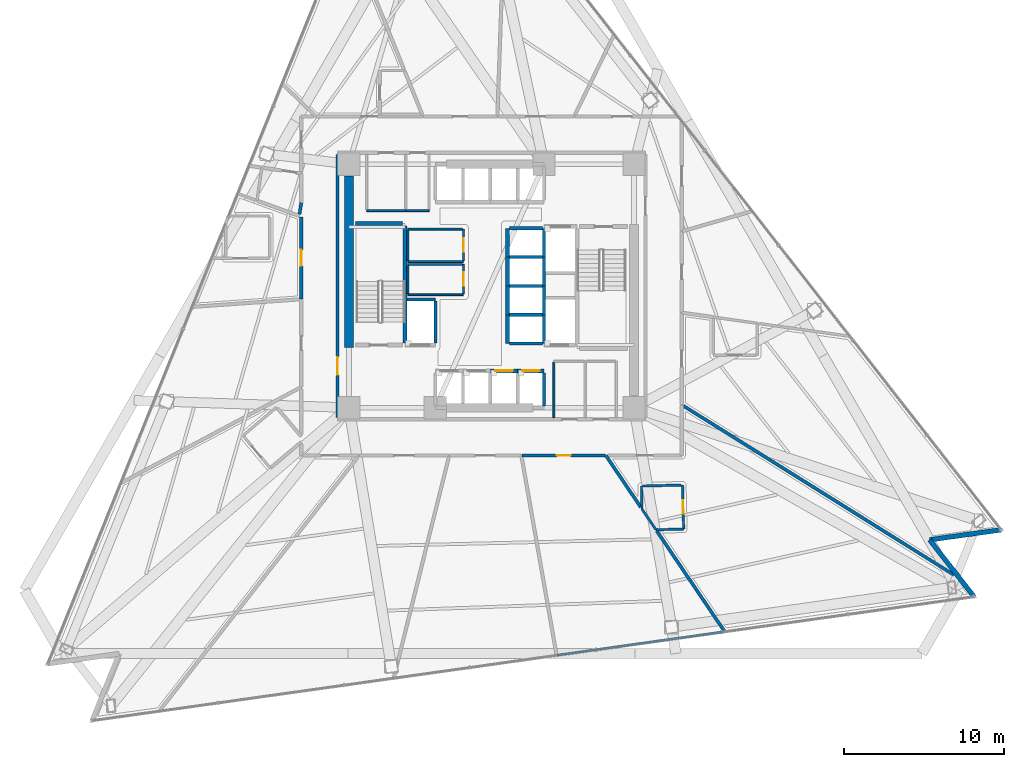
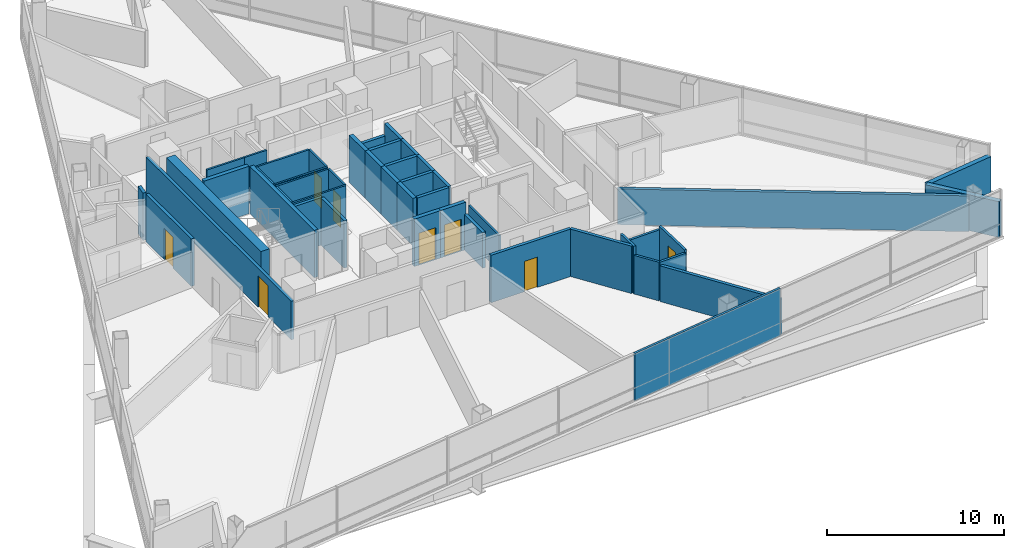
# One storey, part 8 of 15: 47 walls, 8 doors, 8 openings.
"""IFC4 building model written with IfcOpenShell, lengths in metres."""

from ifc_helpers import new_model, si_unit, direction, frame, frame_2d, origin, place, context, subcontext, project, spatial, rectangle, extrude, material, layer, layer_set, type_object, element, fill, save


model = new_model("IFC4")

# Units and contexts
model_context = context("Model", 3, precision=1e-05, world=origin(), true_north=direction((0.0, 1.0)))
body_context = subcontext(model_context, "Body", "Model", "MODEL_VIEW")
ifc_project = project(units=[si_unit("LENGTHUNIT", "METRE"), si_unit("AREAUNIT", "SQUARE_METRE"), si_unit("VOLUMEUNIT", "CUBIC_METRE"), si_unit("PLANEANGLEUNIT", "RADIAN"), si_unit("MASSUNIT", "GRAM", prefix="KILO")], contexts=[model_context])

# Site, building, storey
site_placement = place(None, origin())
site = spatial("IfcSite", under=ifc_project, at=site_placement, CompositionType="ELEMENT")
building_placement = place(site_placement, origin())
building = spatial("IfcBuilding", under=site, at=building_placement, Name="Tharavind Bronze Gate", CompositionType="ELEMENT")
storey_placement = place(building_placement, frame((0.0, 0.0, 57.0)))
storey = spatial("IfcBuildingStorey", under=building, at=storey_placement, Name="L13", CompositionType="ELEMENT", Elevation=57.0)

# Walls
ifc_material_1 = material(Name="Concrete C40/50", Category="concrete")
ifc_layer_1 = layer(ifc_material_1, 0.300048828125)
ifc_layer_set_1 = layer_set([ifc_layer_1], Name="Concrete C40/50")
wall_type_1 = type_object("IfcWallType", Name="EXTERIOR SPANDREL WALL 300", PredefinedType="STANDARD", material=ifc_layer_set_1)
wall_1_placement = place(storey_placement, frame((30.127685546875, -19.399169921875, 0.0), z_axis=(0.0, 0.0, 1.0), x_axis=(-0.615621932091, 0.78804164657, 0.0)))
element("IfcWall", 1, at=wall_1_placement, inside=storey, type_object=wall_type_1, Name="L13 notch cheek wall 3A", PredefinedType="STANDARD", context=body_context, shape_type="SweptSolid", body=[
    extrude(rectangle(XDim=4.5, YDim=0.300048828125, at=frame_2d((2.25, 0.0))), origin(), (0.0, 0.0, 1.0), 2.469970703125),
])
wall_2_placement = place(storey_placement, frame((27.357421875, -15.85302734375, 0.0), z_axis=(0.0, 0.0, 1.0), x_axis=(0.990269200152, 0.139165050317, 0.0)))
element("IfcWall", 2, at=wall_2_placement, inside=storey, type_object=wall_type_1, Name="L13 notch cheek wall 3B", PredefinedType="STANDARD", context=body_context, shape_type="SweptSolid", body=[
    extrude(rectangle(XDim=4.499755859375, YDim=0.300048828125, at=frame_2d((2.25, 0.0))), origin(), (0.0, 0.0, 1.0), 2.469970703125),
])

# Wall, opening, door
ifc_material_2 = material(Name="Aerated Concrete Block", Category="concrete")
ifc_layer_2 = layer(ifc_material_2, 0.199951171875)
ifc_layer_set_2 = layer_set([ifc_layer_2], Name="Aerated Concrete Block")
wall_type_2 = type_object("IfcWallType", Name="FIRE RATED PARTITION 200", PredefinedType="PARTITIONING", material=ifc_layer_set_2)
wall_3_placement = place(storey_placement, frame((-9.6201171875, 8.199951171875, 0.0), z_axis=(0.0, 0.0, 1.0), x_axis=(0.0, -1.0, 0.0)))
wall_3 = element("IfcWall", 3, at=wall_3_placement, inside=storey, type_object=wall_type_2, Name="L13 west core corridor wall", PredefinedType="PARTITIONING", context=body_context, shape_type="SweptSolid", body=[
    extrude(rectangle(XDim=16.39990234375, YDim=0.199951171875, at=frame_2d((8.199951171875, 0.0))), origin(), (0.0, 0.0, 1.0), 2.669921875),
])
opening_1_placement = place(wall_3_placement, frame((12.64990234375, 0.0, 0.0)))
opening_1 = element("IfcOpeningElement", 4, at=opening_1_placement, cuts=wall_3, Name="Opening ID01", PredefinedType="OPENING", context=body_context, shape_type="SweptSolid", body=[
    extrude(rectangle(XDim=1.10009765625, YDim=2.14990234375, at=frame_2d((0.550048828125, 1.074951171875))), frame((0.0, 0.11009765625, 0.0), z_axis=(0.0, -1.0, 0.0), x_axis=(1.0, 0.0, 0.0)), (0.0, 0.0, 1.0), 0.219951171875),
])
ifc_material_3 = material(Name="Fire-Rated Steel", Category="steel")
door_type_1 = type_object("IfcDoorType", Name="STAIR CORE FIRE DOOR 1100X2150", OperationType="SINGLE_SWING_LEFT", PredefinedType="DOOR", material=ifc_material_3)
door_1_placement = place(opening_1_placement, frame((1.10009765625, 0.0, 0.0), z_axis=(0.0, 0.0, 1.0), x_axis=(-1.0, 0.0, 0.0)))
door_1 = element("IfcDoor", 5, at=door_1_placement, inside=storey, type_object=door_type_1, Name="L13 south west stair lobby fire door", OperationType="SINGLE_SWING_LEFT", OverallHeight=2.14990234375, OverallWidth=1.10009765625, PredefinedType="DOOR", context=body_context, shape_type="SweptSolid", body=[
    extrude(rectangle(XDim=1.10009765625, YDim=2.14990234375, at=frame_2d((0.550048828125, 1.074951171875))), frame((0.0, 0.02490234375, 0.0), z_axis=(0.0, -1.0, 0.0), x_axis=(1.0, 0.0, 0.0)), (0.0, 0.0, 1.0), 0.050048828125),
])
fill(opening_1, door_1)

# Wall
wall_4_placement = place(storey_placement, frame((-11.8798828125, 5.19384765625, 0.0), z_axis=(0.0, 0.0, 1.0), x_axis=(-0.143909981619, -0.989590782693, 0.0)))
element("IfcWall", 6, at=wall_4_placement, inside=storey, type_object=wall_type_2, Name="L13 En-Suite Bathroom partition", PredefinedType="PARTITIONING", context=body_context, shape_type="SweptSolid", body=[
    extrude(rectangle(XDim=0.727783203125, YDim=0.199951171875, at=frame_2d((0.36376953125, 0.0))), origin(), (0.0, 0.0, 1.0), 3.27490234375),
])

# Wall, opening, door
wall_5_placement = place(storey_placement, frame((1.895263671875, -10.580078125, 0.0), z_axis=(0.0, 0.0, 1.0), x_axis=(1.0, 0.0, 0.0)))
wall_5 = element("IfcWall", 7, at=wall_5_placement, inside=storey, type_object=wall_type_2, Name="L13 Public Restrooms Block partition", PredefinedType="PARTITIONING", context=body_context, shape_type="SweptSolid", body=[
    extrude(rectangle(XDim=5.227783203125, YDim=0.199951171875, at=frame_2d((2.61376953125, 0.0))), origin(), (0.0, 0.0, 1.0), 3.27490234375),
])
opening_2_placement = place(wall_5_placement, frame((2.18896484375, 0.0, 0.0)))
opening_2 = element("IfcOpeningElement", 8, at=opening_2_placement, cuts=wall_5, Name="Opening ID06", PredefinedType="OPENING", context=body_context, shape_type="SweptSolid", body=[
    extrude(rectangle(XDim=0.85009765625, YDim=2.10009765625, at=frame_2d((0.425048828125, 1.050048828125))), frame((0.0, 0.11009765625, 0.0), z_axis=(0.0, -1.0, 0.0), x_axis=(1.0, 0.0, 0.0)), (0.0, 0.0, 1.0), 0.219951171875),
])
ifc_material_4 = material(Name="Moisture-Resistant Timber", Category="wood")
door_type_2 = type_object("IfcDoorType", Name="BATHROOM PRIVACY DOOR 850X2100", OperationType="SINGLE_SWING_RIGHT", PredefinedType="DOOR", material=ifc_material_4)
door_2_placement = place(opening_2_placement, origin())
door_2 = element("IfcDoor", 9, at=door_2_placement, inside=storey, type_object=door_type_2, Name="L13 Public Restrooms Block door", OperationType="SINGLE_SWING_RIGHT", OverallHeight=2.10009765625, OverallWidth=0.85009765625, PredefinedType="DOOR", context=body_context, shape_type="SweptSolid", body=[
    extrude(rectangle(XDim=0.85009765625, YDim=2.10009765625, at=frame_2d((0.425048828125, 1.050048828125))), frame((0.0, 0.02490234375, 0.0), z_axis=(0.0, -1.0, 0.0), x_axis=(1.0, 0.0, 0.0)), (0.0, 0.0, 1.0), 0.050048828125),
])
fill(opening_2, door_2)

# Walls
wall_6_placement = place(storey_placement, frame((7.143798828125, -10.591064453125, 0.0), z_axis=(0.0, 0.0, 1.0), x_axis=(0.559171794076, -0.829051810631, 0.0)))
element("IfcWall", 10, at=wall_6_placement, inside=storey, type_object=wall_type_2, Name="L13 Public Restrooms Block partition", PredefinedType="PARTITIONING", context=body_context, shape_type="SweptSolid", body=[
    extrude(rectangle(XDim=3.88623046875, YDim=0.199951171875, at=frame_2d((1.943115234375, 0.0))), origin(), (0.0, 0.0, 1.0), 3.27490234375),
])
wall_7_placement = place(storey_placement, frame((10.321044921875, -15.3017578125, 0.0), z_axis=(0.0, 0.0, 1.0), x_axis=(0.559202924042, -0.829030813506, 0.0)))
element("IfcWall", 11, at=wall_7_placement, inside=storey, type_object=wall_type_2, Name="L13 Public Restrooms Block partition", PredefinedType="PARTITIONING", context=body_context, shape_type="SweptSolid", body=[
    extrude(rectangle(XDim=7.581298828125, YDim=0.199951171875, at=frame_2d((3.79052734375, 0.0))), origin(), (0.0, 0.0, 1.0), 2.469970703125),
])

# Wall, opening, door
wall_8_placement = place(storey_placement, frame((-11.8798828125, 4.306396484375, 0.0), z_axis=(0.0, 0.0, 1.0), x_axis=(0.0, -1.0, 0.0)))
wall_8 = element("IfcWall", 12, at=wall_8_placement, inside=storey, type_object=wall_type_2, Name="L13 Hotel Guest Room partition", PredefinedType="PARTITIONING", context=body_context, shape_type="SweptSolid", body=[
    extrude(rectangle(XDim=5.11376953125, YDim=0.199951171875, at=frame_2d((2.556884765625, 0.0))), origin(), (0.0, 0.0, 1.0), 3.27490234375),
])
opening_3_placement = place(wall_8_placement, frame((2.056884765625, 0.0, 0.0)))
opening_3 = element("IfcOpeningElement", 13, at=opening_3_placement, cuts=wall_8, Name="Opening ID03", PredefinedType="OPENING", context=body_context, shape_type="SweptSolid", body=[
    extrude(rectangle(XDim=1.0, YDim=2.14990234375, at=frame_2d((0.5, 1.074951171875))), frame((0.0, 0.11009765625, 0.0), z_axis=(0.0, -1.0, 0.0), x_axis=(1.0, 0.0, 0.0)), (0.0, 0.0, 1.0), 0.219951171875),
])
ifc_material_5 = material(Name="Solid Timber Veneer", Category="wood")
door_type_3 = type_object("IfcDoorType", Name="HOTEL SUITE ENTRANCE DOOR 1000X2150", OperationType="SINGLE_SWING_LEFT", PredefinedType="DOOR", material=ifc_material_5)
door_3_placement = place(opening_3_placement, origin())
door_3 = element("IfcDoor", 14, at=door_3_placement, inside=storey, type_object=door_type_3, Name="L13 Hotel Guest Room door", OperationType="SINGLE_SWING_LEFT", OverallHeight=2.14990234375, OverallWidth=1.0, PredefinedType="DOOR", context=body_context, shape_type="SweptSolid", body=[
    extrude(rectangle(XDim=1.0, YDim=2.14990234375, at=frame_2d((0.5, 1.074951171875))), frame((0.0, 0.02490234375, 0.0), z_axis=(0.0, -1.0, 0.0), x_axis=(1.0, 0.0, 0.0)), (0.0, 0.0, 1.0), 0.050048828125),
])
fill(opening_3, door_3)

# Walls
wall_9_placement = place(storey_placement, frame((11.985107421875, -7.489013671875, 0.0), z_axis=(0.0, 0.0, 1.0), x_axis=(0.848049281921, -0.529917366608, 0.0)))
element("IfcWall", 15, at=wall_9_placement, inside=storey, type_object=wall_type_2, Name="L13 Deluxe Hotel Suite partition", PredefinedType="PARTITIONING", context=body_context, shape_type="SweptSolid", body=[
    extrude(rectangle(XDim=19.908447265625, YDim=0.199951171875, at=frame_2d((9.9541015625, 0.0))), origin(), (0.0, 0.0, 1.0), 2.469970703125),
])
ifc_material_6 = material(Name="Metal Stud Gypsum Partition", Category="gypsum")
ifc_layer_3 = layer(ifc_material_6, 0.1201171875)
ifc_layer_set_3 = layer_set([ifc_layer_3], Name="Metal Stud Gypsum Partition")
wall_type_3 = type_object("IfcWallType", Name="INTERIOR PARTITION WALL 120", PredefinedType="PARTITIONING", material=ifc_layer_set_3)
wall_10_placement = place(storey_placement, frame((-5.219970703125, 1.52001953125, 0.0), z_axis=(0.0, 0.0, 1.0), x_axis=(1.0, 0.0, 0.0)))
element("IfcWall", 16, at=wall_10_placement, inside=storey, type_object=wall_type_3, Name="L13 Cleaner Store Room partition 1", PredefinedType="PARTITIONING", context=body_context, shape_type="SweptSolid", body=[
    extrude(rectangle(XDim=3.469970703125, YDim=0.1201171875, at=frame_2d((1.73486328125, 0.0))), origin(), (0.0, 0.0, 1.0), 3.27490234375),
])

# Wall, opening, door
wall_11_placement = place(storey_placement, frame((-1.75, 1.5849609375, 0.0), z_axis=(0.0, 0.0, 1.0), x_axis=(0.0, 1.0, 0.0)))
wall_11 = element("IfcWall", 17, at=wall_11_placement, inside=storey, type_object=wall_type_3, Name="L13 Cleaner Store Room partition 2", PredefinedType="PARTITIONING", context=body_context, shape_type="SweptSolid", body=[
    extrude(rectangle(XDim=1.965087890625, YDim=0.1201171875, at=frame_2d((0.982421875, 0.0))), origin(), (0.0, 0.0, 1.0), 3.27490234375),
])
opening_4_placement = place(wall_11_placement, frame((0.556884765625, 0.0, 0.0)))
opening_4 = element("IfcOpeningElement", 18, at=opening_4_placement, cuts=wall_11, Name="Opening ID06", PredefinedType="OPENING", context=body_context, shape_type="SweptSolid", body=[
    extrude(rectangle(XDim=0.85009765625, YDim=2.10009765625, at=frame_2d((0.425048828125, 1.050048828125))), frame((0.0, 0.07005859375, 0.0), z_axis=(0.0, -1.0, 0.0), x_axis=(1.0, 0.0, 0.0)), (0.0, 0.0, 1.0), 0.1401171875),
])
door_4_placement = place(opening_4_placement, frame((0.85009765625, 0.0, 0.0), z_axis=(0.0, 0.0, 1.0), x_axis=(-1.0, 0.0, 0.0)))
door_4 = element("IfcDoor", 19, at=door_4_placement, inside=storey, type_object=door_type_2, Name="L13 Cleaner Store Room door", OperationType="SINGLE_SWING_RIGHT", OverallHeight=2.10009765625, OverallWidth=0.85009765625, PredefinedType="DOOR", context=body_context, shape_type="SweptSolid", body=[
    extrude(rectangle(XDim=0.85009765625, YDim=2.10009765625, at=frame_2d((0.425048828125, 1.050048828125))), frame((0.0, 0.02490234375, 0.0), z_axis=(0.0, -1.0, 0.0), x_axis=(1.0, 0.0, 0.0)), (0.0, 0.0, 1.0), 0.050048828125),
])
fill(opening_4, door_4)

# Walls
wall_12_placement = place(storey_placement, frame((-1.81494140625, 3.550048828125, 0.0), z_axis=(0.0, 0.0, 1.0), x_axis=(-1.0, 0.0, 0.0)))
element("IfcWall", 20, at=wall_12_placement, inside=storey, type_object=wall_type_3, Name="L13 Cleaner Store Room partition 3", PredefinedType="PARTITIONING", context=body_context, shape_type="SweptSolid", body=[
    extrude(rectangle(XDim=3.405029296875, YDim=0.1201171875, at=frame_2d((1.70263671875, 0.0))), origin(), (0.0, 0.0, 1.0), 3.27490234375),
])
wall_13_placement = place(storey_placement, frame((-5.219970703125, 3.485107421875, 0.0), z_axis=(0.0, 0.0, 1.0), x_axis=(0.0, -1.0, 0.0)))
element("IfcWall", 21, at=wall_13_placement, inside=storey, type_object=wall_type_3, Name="L13 Cleaner Store Room partition 4", PredefinedType="PARTITIONING", context=body_context, shape_type="SweptSolid", body=[
    extrude(rectangle(XDim=1.900146484375, YDim=0.1201171875, at=frame_2d((0.9501953125, 0.0))), origin(), (0.0, 0.0, 1.0), 3.27490234375),
])
wall_14_placement = place(storey_placement, frame((-5.219970703125, -0.550048828125, 0.0), z_axis=(0.0, 0.0, 1.0), x_axis=(1.0, 0.0, 0.0)))
element("IfcWall", 22, at=wall_14_placement, inside=storey, type_object=wall_type_3, Name="L13 Electrical Switch Room partition 1", PredefinedType="PARTITIONING", context=body_context, shape_type="SweptSolid", body=[
    extrude(rectangle(XDim=3.469970703125, YDim=0.1201171875, at=frame_2d((1.73486328125, 0.0))), origin(), (0.0, 0.0, 1.0), 3.27490234375),
])

# Wall, opening, door
wall_15_placement = place(storey_placement, frame((-1.75, -0.485107421875, 0.0), z_axis=(0.0, 0.0, 1.0), x_axis=(0.0, 1.0, 0.0)))
wall_15 = element("IfcWall", 23, at=wall_15_placement, inside=storey, type_object=wall_type_3, Name="L13 Electrical Switch Room partition 2", PredefinedType="PARTITIONING", context=body_context, shape_type="SweptSolid", body=[
    extrude(rectangle(XDim=1.8251953125, YDim=0.1201171875, at=frame_2d((0.91259765625, 0.0))), origin(), (0.0, 0.0, 1.0), 3.27490234375),
])
opening_5_placement = place(wall_15_placement, frame((0.488037109375, 0.0, 0.0)))
opening_5 = element("IfcOpeningElement", 24, at=opening_5_placement, cuts=wall_15, Name="Opening ID06", PredefinedType="OPENING", context=body_context, shape_type="SweptSolid", body=[
    extrude(rectangle(XDim=0.85009765625, YDim=2.10009765625, at=frame_2d((0.425048828125, 1.050048828125))), frame((0.0, 0.07005859375, 0.0), z_axis=(0.0, -1.0, 0.0), x_axis=(1.0, 0.0, 0.0)), (0.0, 0.0, 1.0), 0.1401171875),
])
door_5_placement = place(opening_5_placement, frame((0.85009765625, 0.0, 0.0), z_axis=(0.0, 0.0, 1.0), x_axis=(-1.0, 0.0, 0.0)))
door_5 = element("IfcDoor", 25, at=door_5_placement, inside=storey, type_object=door_type_2, Name="L13 Electrical Switch Room door", OperationType="SINGLE_SWING_RIGHT", OverallHeight=2.10009765625, OverallWidth=0.85009765625, PredefinedType="DOOR", context=body_context, shape_type="SweptSolid", body=[
    extrude(rectangle(XDim=0.85009765625, YDim=2.10009765625, at=frame_2d((0.425048828125, 1.050048828125))), frame((0.0, 0.02490234375, 0.0), z_axis=(0.0, -1.0, 0.0), x_axis=(1.0, 0.0, 0.0)), (0.0, 0.0, 1.0), 0.050048828125),
])
fill(opening_5, door_5)

# Walls
wall_16_placement = place(storey_placement, frame((-1.81494140625, 1.340087890625, 0.0), z_axis=(0.0, 0.0, 1.0), x_axis=(-1.0, 0.0, 0.0)))
element("IfcWall", 26, at=wall_16_placement, inside=storey, type_object=wall_type_3, Name="L13 Electrical Switch Room partition 3", PredefinedType="PARTITIONING", context=body_context, shape_type="SweptSolid", body=[
    extrude(rectangle(XDim=3.405029296875, YDim=0.1201171875, at=frame_2d((1.70263671875, 0.0))), origin(), (0.0, 0.0, 1.0), 3.27490234375),
])
wall_17_placement = place(storey_placement, frame((-5.219970703125, 1.27490234375, 0.0), z_axis=(0.0, 0.0, 1.0), x_axis=(0.0, -1.0, 0.0)))
element("IfcWall", 27, at=wall_17_placement, inside=storey, type_object=wall_type_3, Name="L13 Electrical Switch Room partition 4", PredefinedType="PARTITIONING", context=body_context, shape_type="SweptSolid", body=[
    extrude(rectangle(XDim=1.760009765625, YDim=0.1201171875, at=frame_2d((0.8798828125, 0.0))), origin(), (0.0, 0.0, 1.0), 3.27490234375),
])
wall_18_placement = place(storey_placement, frame((-7.800048828125, 4.699951171875, 0.0), z_axis=(0.0, 0.0, 1.0), x_axis=(1.0, 0.0, 0.0)))
element("IfcWall", 28, at=wall_18_placement, inside=storey, type_object=wall_type_3, Name="L13 Electrical Metering Room partition 1", PredefinedType="PARTITIONING", context=body_context, shape_type="SweptSolid", body=[
    extrude(rectangle(XDim=2.449951171875, YDim=0.1201171875, at=frame_2d((1.22509765625, 0.0))), origin(), (0.0, 0.0, 1.0), 3.27490234375),
])
wall_19_placement = place(storey_placement, frame((-5.35009765625, 4.699951171875, 0.0), z_axis=(0.0, 0.0, 1.0), x_axis=(1.0, 0.0, 0.0)))
element("IfcWall", 29, at=wall_19_placement, inside=storey, type_object=wall_type_3, Name="L13 Linen Cupboard partition 1", PredefinedType="PARTITIONING", context=body_context, shape_type="SweptSolid", body=[
    extrude(rectangle(XDim=1.4501953125, YDim=0.1201171875, at=frame_2d((0.72509765625, 0.0))), origin(), (0.0, 0.0, 1.0), 3.27490234375),
])
wall_20_placement = place(storey_placement, frame((3.89990234375, -4.764892578125, 0.0), z_axis=(0.0, 0.0, 1.0), x_axis=(0.0, -1.0, 0.0)))
element("IfcWall", 30, at=wall_20_placement, inside=storey, type_object=wall_type_3, Name="L13 Comms Patch Room partition 4", PredefinedType="PARTITIONING", context=body_context, shape_type="SweptSolid", body=[
    extrude(rectangle(XDim=3.4501953125, YDim=0.1201171875, at=frame_2d((1.72509765625, 0.0))), origin(), (0.0, 0.0, 1.0), 2.469970703125),
])

# Wall, opening, door
ifc_material_7 = material(Name="Twin Stud Acoustic Gypsum", Category="gypsum")
ifc_layer_4 = layer(ifc_material_7, 0.14990234375)
ifc_layer_set_4 = layer_set([ifc_layer_4], Name="Twin Stud Acoustic Gypsum")
wall_type_4 = type_object("IfcWallType", Name="INTERIOR PARTITION WALL 150", PredefinedType="PARTITIONING", material=ifc_layer_set_4)
wall_21_placement = place(storey_placement, frame((11.927490234375, -12.429443359375, 0.0), z_axis=(0.0, 0.0, 1.0), x_axis=(0.025746347005, -0.999668507864, 0.0)))
wall_21 = element("IfcWall", 31, at=wall_21_placement, inside=storey, type_object=wall_type_4, Name="L13 En-Suite Bathroom partition", PredefinedType="PARTITIONING", context=body_context, shape_type="SweptSolid", body=[
    extrude(rectangle(XDim=2.75, YDim=0.14990234375, at=frame_2d((1.375, 0.0))), origin(), (0.0, 0.0, 1.0), 2.8701171875),
])
opening_6_placement = place(wall_21_placement, frame((0.949951171875, 0.0, 0.0)))
opening_6 = element("IfcOpeningElement", 32, at=opening_6_placement, cuts=wall_21, Name="Opening ID06", PredefinedType="OPENING", context=body_context, shape_type="SweptSolid", body=[
    extrude(rectangle(XDim=0.85009765625, YDim=2.10009765625, at=frame_2d((0.425048828125, 1.050048828125))), frame((0.0, 0.084951171875, 0.0), z_axis=(0.0, -1.0, 0.0), x_axis=(1.0, 0.0, 0.0)), (0.0, 0.0, 1.0), 0.16990234375),
])
door_6_placement = place(opening_6_placement, origin())
door_6 = element("IfcDoor", 33, at=door_6_placement, inside=storey, type_object=door_type_2, Name="L13 En-Suite Bathroom door", OperationType="SINGLE_SWING_RIGHT", OverallHeight=2.10009765625, OverallWidth=0.85009765625, PredefinedType="DOOR", context=body_context, shape_type="SweptSolid", body=[
    extrude(rectangle(XDim=0.85009765625, YDim=2.10009765625, at=frame_2d((0.425048828125, 1.050048828125))), frame((0.0, 0.02490234375, 0.0), z_axis=(0.0, -1.0, 0.0), x_axis=(1.0, 0.0, 0.0)), (0.0, 0.0, 1.0), 0.050048828125),
])
fill(opening_6, door_6)

# Walls
wall_22_placement = place(storey_placement, frame((11.998291015625, -15.178466796875, 0.0), z_axis=(0.0, 0.0, 1.0), x_axis=(-0.999670410654, -0.025672359918, 0.0)))
element("IfcWall", 34, at=wall_22_placement, inside=storey, type_object=wall_type_4, Name="L13 En-Suite Bathroom partition", PredefinedType="PARTITIONING", context=body_context, shape_type="SweptSolid", body=[
    extrude(rectangle(XDim=1.730712890625, YDim=0.14990234375, at=frame_2d((0.865234375, 0.0))), origin(), (0.0, 0.0, 1.0), 2.669921875),
])
wall_23_placement = place(storey_placement, frame((10.26806640625, -15.222900390625, 0.0), z_axis=(0.0, 0.0, 1.0), x_axis=(-0.559229675695, 0.82901276819, 0.0)))
element("IfcWall", 35, at=wall_23_placement, inside=storey, type_object=wall_type_4, Name="L13 En-Suite Bathroom partition", PredefinedType="PARTITIONING", context=body_context, shape_type="SweptSolid", body=[
    extrude(rectangle(XDim=1.552001953125, YDim=0.14990234375, at=frame_2d((0.77587890625, 0.0))), origin(), (0.0, 0.0, 1.0), 2.669921875),
])
wall_24_placement = place(storey_placement, frame((9.400146484375, -13.936279296875, 0.0), z_axis=(0.0, 0.0, 1.0), x_axis=(-0.025745445057, 0.999668531094, 0.0)))
element("IfcWall", 36, at=wall_24_placement, inside=storey, type_object=wall_type_4, Name="L13 En-Suite Bathroom partition", PredefinedType="PARTITIONING", context=body_context, shape_type="SweptSolid", body=[
    extrude(rectangle(XDim=1.44140625, YDim=0.14990234375, at=frame_2d((0.720703125, 0.0))), origin(), (0.0, 0.0, 1.0), 3.27490234375),
])
wall_25_placement = place(storey_placement, frame((9.443115234375, -12.493408203125, 0.0), z_axis=(0.0, 0.0, 1.0), x_axis=(0.999667618691, 0.025780848324, 0.0)))
element("IfcWall", 37, at=wall_25_placement, inside=storey, type_object=wall_type_4, Name="L13 En-Suite Bathroom partition", PredefinedType="PARTITIONING", context=body_context, shape_type="SweptSolid", body=[
    extrude(rectangle(XDim=2.4052734375, YDim=0.14990234375, at=frame_2d((1.20263671875, 0.0))), origin(), (0.0, 0.0, 1.0), 2.669921875),
])
wall_26_placement = place(storey_placement, frame((14.44482421875, -21.603271484375, 0.0), z_axis=(0.0, 0.0, 1.0), x_axis=(-0.990270056923, -0.139158953581, 0.0)))
element("IfcWall", 38, at=wall_26_placement, inside=storey, type_object=wall_type_4, Name="L13 Public Restrooms Block partition", PredefinedType="PARTITIONING", context=body_context, shape_type="SweptSolid", body=[
    extrude(rectangle(XDim=10.456298828125, YDim=0.14990234375, at=frame_2d((5.22802734375, 0.0))), origin(), (0.0, 0.0, 1.0), 3.27490234375),
])
ifc_material_8 = material(Name="Concrete C50/60", Category="concrete")
ifc_layer_5 = layer(ifc_material_8, 0.25)
ifc_layer_set_5 = layer_set([ifc_layer_5], Name="Concrete C50/60")
wall_type_5 = type_object("IfcWallType", Name="RC CORE SHEAR WALL 250", PredefinedType="SHEAR", material=ifc_layer_set_5)
wall_27_placement = place(storey_placement, frame((-5.39990234375, -3.550048828125, 0.0), z_axis=(0.0, 0.0, 1.0), x_axis=(0.0, 1.0, 0.0)))
element("IfcWall", 39, at=wall_27_placement, inside=storey, type_object=wall_type_5, Name="L13 ST1 shaft east wall", PredefinedType="SHEAR", context=body_context, shape_type="SweptSolid", body=[
    extrude(rectangle(XDim=7.300048828125, YDim=0.25, at=frame_2d((3.64990234375, 0.0))), origin(), (0.0, 0.0, 1.0), 3.27490234375),
])
wall_28_placement = place(storey_placement, frame((-8.5, 3.89990234375, 0.0), z_axis=(0.0, 0.0, 1.0), x_axis=(1.0, 0.0, 0.0)))
element("IfcWall", 40, at=wall_28_placement, inside=storey, type_object=wall_type_5, Name="L13 ST1 shaft north wall", PredefinedType="SHEAR", context=body_context, shape_type="SweptSolid", body=[
    extrude(rectangle(XDim=2.949951171875, YDim=0.25, at=frame_2d((1.47509765625, 0.0))), origin(), (0.0, 0.0, 1.0), 3.27490234375),
])

# Wall, opening, door
wall_29_placement = place(storey_placement, frame((-0.074951171875, -5.300048828125, 0.0), z_axis=(0.0, 0.0, 1.0), x_axis=(1.0, 0.0, 0.0)))
wall_29 = element("IfcWall", 41, at=wall_29_placement, inside=storey, type_object=wall_type_5, Name="L13 lift PL3 shaft front wall", PredefinedType="SHEAR", context=body_context, shape_type="SweptSolid", body=[
    extrude(rectangle(XDim=1.71240234375, YDim=0.25, at=frame_2d((0.856201171875, 0.0))), origin(), (0.0, 0.0, 1.0), 3.27490234375),
])
opening_7_placement = place(wall_29_placement, frame((0.305908203125, 0.0, 0.0)))
opening_7 = element("IfcOpeningElement", 42, at=opening_7_placement, cuts=wall_29, Name="Opening LD01", PredefinedType="OPENING", context=body_context, shape_type="SweptSolid", body=[
    extrude(rectangle(XDim=1.10009765625, YDim=2.199951171875, at=frame_2d((0.550048828125, 1.10009765625))), frame((0.0, 0.135, 0.0), z_axis=(0.0, -1.0, 0.0), x_axis=(1.0, 0.0, 0.0)), (0.0, 0.0, 1.0), 0.27),
])
ifc_material_9 = material(Name="Brushed Bronze Stainless Steel", Category="steel")
door_type_4 = type_object("IfcDoorType", Name="LIFT LANDING SLIDING DOOR 1100X2200", OperationType="SLIDING_TO_LEFT", PredefinedType="DOOR", material=ifc_material_9)
door_7_placement = place(opening_7_placement, origin())
door_7 = element("IfcDoor", 43, at=door_7_placement, inside=storey, type_object=door_type_4, Name="L13 lift PL3 sliding landing door", OperationType="SLIDING_TO_LEFT", OverallHeight=2.199951171875, OverallWidth=1.10009765625, PredefinedType="DOOR", context=body_context, shape_type="SweptSolid", body=[
    extrude(rectangle(XDim=1.10009765625, YDim=2.199951171875, at=frame_2d((0.550048828125, 1.10009765625))), frame((0.0, 0.02490234375, 0.0), z_axis=(0.0, -1.0, 0.0), x_axis=(1.0, 0.0, 0.0)), (0.0, 0.0, 1.0), 0.050048828125),
])
fill(opening_7, door_7)

wall_30_placement = place(storey_placement, frame((1.637451171875, -5.300048828125, 0.0), z_axis=(0.0, 0.0, 1.0), x_axis=(1.0, 0.0, 0.0)))
wall_30 = element("IfcWall", 44, at=wall_30_placement, inside=storey, type_object=wall_type_5, Name="L13 lift PL4 shaft front wall", PredefinedType="SHEAR", context=body_context, shape_type="SweptSolid", body=[
    extrude(rectangle(XDim=1.642578125, YDim=0.25, at=frame_2d((0.8212890625, 0.0))), origin(), (0.0, 0.0, 1.0), 3.27490234375),
])
opening_8_placement = place(wall_30_placement, frame((0.27099609375, 0.0, 0.0)))
opening_8 = element("IfcOpeningElement", 45, at=opening_8_placement, cuts=wall_30, Name="Opening LD01", PredefinedType="OPENING", context=body_context, shape_type="SweptSolid", body=[
    extrude(rectangle(XDim=1.10009765625, YDim=2.199951171875, at=frame_2d((0.550048828125, 1.10009765625))), frame((0.0, 0.135, 0.0), z_axis=(0.0, -1.0, 0.0), x_axis=(1.0, 0.0, 0.0)), (0.0, 0.0, 1.0), 0.27),
])
door_8_placement = place(opening_8_placement, origin())
door_8 = element("IfcDoor", 46, at=door_8_placement, inside=storey, type_object=door_type_4, Name="L13 lift PL4 sliding landing door", OperationType="SLIDING_TO_LEFT", OverallHeight=2.199951171875, OverallWidth=1.10009765625, PredefinedType="DOOR", context=body_context, shape_type="SweptSolid", body=[
    extrude(rectangle(XDim=1.10009765625, YDim=2.199951171875, at=frame_2d((0.550048828125, 1.10009765625))), frame((0.0, 0.02490234375, 0.0), z_axis=(0.0, -1.0, 0.0), x_axis=(1.0, 0.0, 0.0)), (0.0, 0.0, 1.0), 0.050048828125),
])
fill(opening_8, door_8)

# Walls
for number, where, z_axis, x_axis, name in (
    (47, (1.0, -3.60009765625, 0.0), (0.0, 0.0, 1.0), (0.0, 1.0, 0.0), "L13 lift PL9 shaft front wall"),
    (48, (1.0, -1.800048828125, 0.0), (0.0, 0.0, 1.0), (0.0, 1.0, 0.0), "L13 lift PL10 shaft front wall"),
    (49, (1.0, 0.0, 0.0), (0.0, 0.0, 1.0), (0.0, 1.0, 0.0), "L13 lift PL11 shaft front wall"),
    (50, (1.0, 1.800048828125, 0.0), (0.0, 0.0, 1.0), (0.0, 1.0, 0.0), "L13 lift PL12 shaft front wall"),
):
    element("IfcWall", number, at=place(storey_placement, frame(where, z_axis=z_axis, x_axis=x_axis)), inside=storey, type_object=wall_type_5, Name=name, PredefinedType="SHEAR", context=body_context, shape_type="SweptSolid", body=[
        extrude(rectangle(XDim=1.800048828125, YDim=0.25, at=frame_2d((0.89990234375, 0.0))), origin(), (0.0, 0.0, 1.0), 3.27490234375),
    ])
ifc_material_10 = material(Name="Concrete C60/75", Category="concrete")
ifc_layer_6 = layer(ifc_material_10, 0.550048828125)
ifc_layer_set_6 = layer_set([ifc_layer_6], Name="Concrete C60/75")
wall_type_6 = type_object("IfcWallType", Name="RC CORE SHEAR WALL 550", PredefinedType="SHEAR", material=ifc_layer_set_6)
wall_31_placement = place(storey_placement, frame((-8.89990234375, -3.85009765625, 0.0), z_axis=(0.0, 0.0, 1.0), x_axis=(0.0, 1.0, 0.0)))
element("IfcWall", 51, at=wall_31_placement, inside=storey, type_object=wall_type_6, Name="L13 west core shear wall", PredefinedType="SHEAR", context=body_context, shape_type="SweptSolid", body=[
    extrude(rectangle(XDim=10.7001953125, YDim=0.550048828125, at=frame_2d((5.35009765625, 0.0))), origin(), (0.0, 0.0, 1.0), 3.27490234375),
])
ifc_layer_7 = layer(ifc_material_1, 0.199951171875)
ifc_layer_set_7 = layer_set([ifc_layer_7], Name="Concrete C40/50")
wall_type_7 = type_object("IfcWallType", Name="SHAFT ENCLOSURE WALL 200", PredefinedType="PARTITIONING", material=ifc_layer_set_7)
wall_32_placement = place(storey_placement, frame((3.280029296875, -7.4951171875, 0.0), z_axis=(0.0, 0.0, 1.0), x_axis=(0.0, 1.0, 0.0)))
element("IfcWall", 52, at=wall_32_placement, inside=storey, type_object=wall_type_7, Name="L13 lift PL4 shaft E enclosure wall", PredefinedType="PARTITIONING", context=body_context, shape_type="SweptSolid", body=[
    extrude(rectangle(XDim=2.065185546875, YDim=0.199951171875, at=frame_2d((1.03271484375, 0.0))), origin(), (0.0, 0.0, 1.0), 2.469970703125),
])
wall_33_placement = place(storey_placement, frame((3.280029296875, -3.60009765625, 0.0), z_axis=(0.0, 0.0, 1.0), x_axis=(0.0, 1.0, 0.0)))
element("IfcWall", 53, at=wall_33_placement, inside=storey, type_object=wall_type_7, Name="L13 lift PL9 shaft E enclosure wall", PredefinedType="PARTITIONING", context=body_context, shape_type="SweptSolid", body=[
    extrude(rectangle(XDim=1.800048828125, YDim=0.199951171875, at=frame_2d((0.89990234375, 0.0))), origin(), (0.0, 0.0, 1.0), 3.27490234375),
])
for number, where, z_axis, x_axis, name in (
    (54, (1.1298828125, -3.60009765625, 0.0), (0.0, 0.0, 1.0), (1.0, 0.0, 0.0), "L13 lift PL9 shaft S enclosure wall"),
    (55, (1.1298828125, -1.800048828125, 0.0), (0.0, 0.0, 1.0), (1.0, 0.0, 0.0), "L13 lift PL9 shaft N enclosure wall"),
):
    element("IfcWall", number, at=place(storey_placement, frame(where, z_axis=z_axis, x_axis=x_axis)), inside=storey, type_object=wall_type_7, Name=name, PredefinedType="PARTITIONING", context=body_context, shape_type="SweptSolid", body=[
        extrude(rectangle(XDim=2.045166015625, YDim=0.199951171875, at=frame_2d((1.0224609375, 0.0))), origin(), (0.0, 0.0, 1.0), 3.27490234375),
    ])
wall_34_placement = place(storey_placement, frame((3.280029296875, -1.800048828125, 0.0), z_axis=(0.0, 0.0, 1.0), x_axis=(0.0, 1.0, 0.0)))
element("IfcWall", 56, at=wall_34_placement, inside=storey, type_object=wall_type_7, Name="L13 lift PL10 shaft E enclosure wall", PredefinedType="PARTITIONING", context=body_context, shape_type="SweptSolid", body=[
    extrude(rectangle(XDim=1.800048828125, YDim=0.199951171875, at=frame_2d((0.89990234375, 0.0))), origin(), (0.0, 0.0, 1.0), 3.27490234375),
])
wall_35_placement = place(storey_placement, frame((1.1298828125, 0.0, 0.0), z_axis=(0.0, 0.0, 1.0), x_axis=(1.0, 0.0, 0.0)))
element("IfcWall", 57, at=wall_35_placement, inside=storey, type_object=wall_type_7, Name="L13 lift PL10 shaft N enclosure wall", PredefinedType="PARTITIONING", context=body_context, shape_type="SweptSolid", body=[
    extrude(rectangle(XDim=2.045166015625, YDim=0.199951171875, at=frame_2d((1.0224609375, 0.0))), origin(), (0.0, 0.0, 1.0), 3.27490234375),
])
wall_36_placement = place(storey_placement, frame((3.280029296875, 0.0, 0.0), z_axis=(0.0, 0.0, 1.0), x_axis=(0.0, 1.0, 0.0)))
element("IfcWall", 58, at=wall_36_placement, inside=storey, type_object=wall_type_7, Name="L13 lift PL11 shaft E enclosure wall", PredefinedType="PARTITIONING", context=body_context, shape_type="SweptSolid", body=[
    extrude(rectangle(XDim=1.800048828125, YDim=0.199951171875, at=frame_2d((0.89990234375, 0.0))), origin(), (0.0, 0.0, 1.0), 3.27490234375),
])
wall_37_placement = place(storey_placement, frame((1.1298828125, 1.800048828125, 0.0), z_axis=(0.0, 0.0, 1.0), x_axis=(1.0, 0.0, 0.0)))
element("IfcWall", 59, at=wall_37_placement, inside=storey, type_object=wall_type_7, Name="L13 lift PL11 shaft N enclosure wall", PredefinedType="PARTITIONING", context=body_context, shape_type="SweptSolid", body=[
    extrude(rectangle(XDim=2.045166015625, YDim=0.199951171875, at=frame_2d((1.0224609375, 0.0))), origin(), (0.0, 0.0, 1.0), 3.27490234375),
])
wall_38_placement = place(storey_placement, frame((3.280029296875, 1.800048828125, 0.0), z_axis=(0.0, 0.0, 1.0), x_axis=(0.0, 1.0, 0.0)))
element("IfcWall", 60, at=wall_38_placement, inside=storey, type_object=wall_type_7, Name="L13 lift PL12 shaft E enclosure wall", PredefinedType="PARTITIONING", context=body_context, shape_type="SweptSolid", body=[
    extrude(rectangle(XDim=1.800048828125, YDim=0.199951171875, at=frame_2d((0.89990234375, 0.0))), origin(), (0.0, 0.0, 1.0), 3.27490234375),
])
wall_39_placement = place(storey_placement, frame((1.1298828125, 3.60009765625, 0.0), z_axis=(0.0, 0.0, 1.0), x_axis=(1.0, 0.0, 0.0)))
element("IfcWall", 61, at=wall_39_placement, inside=storey, type_object=wall_type_7, Name="L13 lift PL12 shaft N enclosure wall", PredefinedType="PARTITIONING", context=body_context, shape_type="SweptSolid", body=[
    extrude(rectangle(XDim=2.045166015625, YDim=0.199951171875, at=frame_2d((1.0224609375, 0.0))), origin(), (0.0, 0.0, 1.0), 2.469970703125),
])
wall_40_placement = place(storey_placement, frame((-5.27001953125, -0.85009765625, 0.0), z_axis=(0.0, 0.0, 1.0), x_axis=(1.0, 0.0, 0.0)))
element("IfcWall", 62, at=wall_40_placement, inside=storey, type_object=wall_type_7, Name="L13 lift FFL1 shaft N enclosure wall", PredefinedType="PARTITIONING", context=body_context, shape_type="SweptSolid", body=[
    extrude(rectangle(XDim=1.77001953125, YDim=0.199951171875, at=frame_2d((0.885009765625, 0.0))), origin(), (0.0, 0.0, 1.0), 3.27490234375),
])
wall_41_placement = place(storey_placement, frame((-3.5, -3.570068359375, 0.0), z_axis=(0.0, 0.0, 1.0), x_axis=(0.0, 1.0, 0.0)))
element("IfcWall", 63, at=wall_41_placement, inside=storey, type_object=wall_type_7, Name="L13 lift FFL1 shaft E enclosure wall", PredefinedType="PARTITIONING", context=body_context, shape_type="SweptSolid", body=[
    extrude(rectangle(XDim=2.614990234375, YDim=0.199951171875, at=frame_2d((1.3076171875, 0.0))), origin(), (0.0, 0.0, 1.0), 3.27490234375),
])

save(model, "model.ifc")
